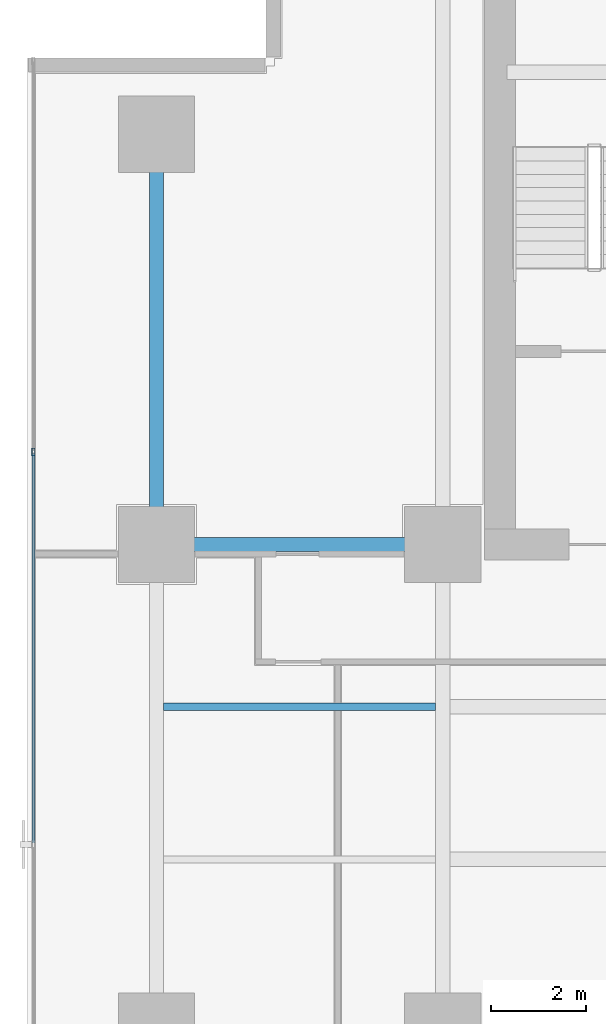
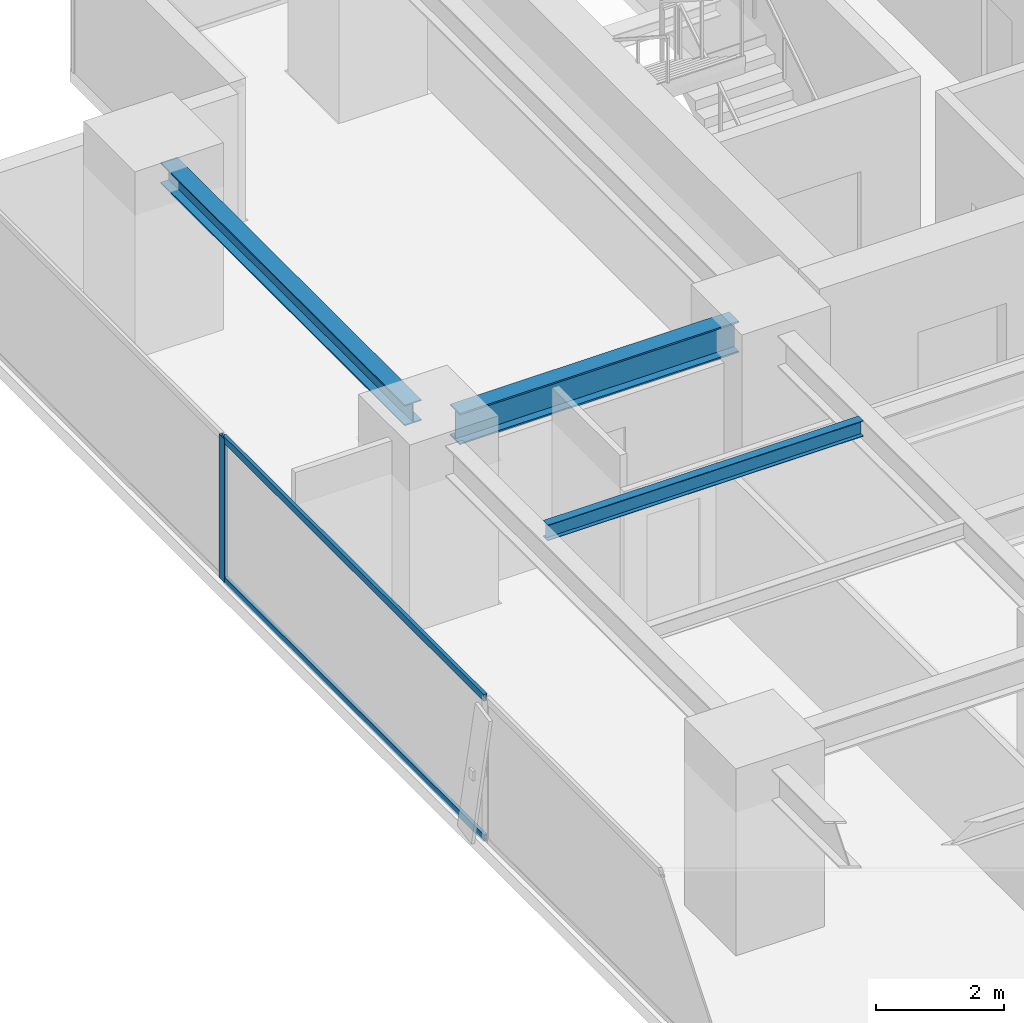
# One storey, part 17 of 37: 3 beams, 3 members, 1 element without a shape of its own.
"""IFC4 building model written with IfcOpenShell, lengths in metres."""

from ifc_helpers import new_model, si_unit, direction, frame, origin, origin_2d, place, context, subcontext, project, spatial, hollow_rectangle, i_section, extrude, source, transform, mapped, material, layer, layer_set, material_profile, profile_set, type_object, element, aggregate, save


model = new_model("IFC4")

# Units and contexts
model_context = context("Model", 3, precision=1e-05, world=origin(), true_north=direction((0.0, 1.0)))
body_context = subcontext(model_context, "Body", "Model", "MODEL_VIEW")
ifc_project = project(units=[si_unit("LENGTHUNIT", "METRE"), si_unit("AREAUNIT", "SQUARE_METRE"), si_unit("VOLUMEUNIT", "CUBIC_METRE"), si_unit("PLANEANGLEUNIT", "RADIAN"), si_unit("MASSUNIT", "GRAM", prefix="KILO")], contexts=[model_context])

# Site, building, storey
site_placement = place(None, origin())
site = spatial("IfcSite", under=ifc_project, at=site_placement, CompositionType="ELEMENT")
building_placement = place(site_placement, origin())
building = spatial("IfcBuilding", under=site, at=building_placement, Name="Sumidabori Civic Tower", CompositionType="ELEMENT")
storey_placement = place(building_placement, frame((0.0, 0.0, 81.199951171875)))
storey = spatial("IfcBuildingStorey", under=building, at=storey_placement, Name="L20", CompositionType="ELEMENT", Elevation=81.199951171875)

# Beams
ifc_material_1 = material(Name="Steel SN490", Category="steel")
ifc_material_profile_1 = material_profile(ifc_material_1, i_section(OverallWidth=0.300048828125, OverallDepth=0.60009765625, WebThickness=0.015380859375, FlangeThickness=0.030029296875, at=origin_2d()), Name="HE 600 B")
ifc_profile_set_1 = profile_set([ifc_material_profile_1], Name="Steel SN490")
beam_type_1 = type_object("IfcBeamType", Name="BM-GIRD-600", PredefinedType="BEAM", material=ifc_profile_set_1)
shared_shape_1 = source(origin(), body_context, "Body", "SweptSolid", [
    extrude(i_section(OverallWidth=0.300048828125, OverallDepth=0.60009765625, WebThickness=0.015380859375, FlangeThickness=0.030029296875, at=origin_2d()), origin(), (0.0, 0.0, 1.0), 5.0400390625),
])
beam_1_placement = place(storey_placement, frame((-22.320068359375, 10.199951171875, 3.06005859375), z_axis=(1.0, 0.0, 0.0), x_axis=(0.0, 1.0, 0.0)))
element("IfcBeam", 1, at=beam_1_placement, inside=storey, type_object=beam_type_1, Name="Primary Girder L20 GX-19", PredefinedType="BEAM", context=body_context, shape_type="MappedRepresentation", body=[
    mapped(shared_shape_1, transform((0.0, 0.0, 0.0), x_axis=(1.0, 0.0, 0.0), y_axis=(0.0, 1.0, 0.0), z_axis=(0.0, 0.0, 1.0), scale=1.0)),
])
ifc_material_profile_2 = material_profile(ifc_material_1, i_section(OverallWidth=0.300048828125, OverallDepth=0.39990234375, WebThickness=0.013427734375, FlangeThickness=0.02392578125, at=origin_2d()), Name="HE 400 B")
ifc_profile_set_2 = profile_set([ifc_material_profile_2], Name="Steel SN490")
beam_type_2 = type_object("IfcBeamType", Name="BM-GIRD-400", PredefinedType="BEAM", material=ifc_profile_set_2)
shared_shape_2 = source(origin(), body_context, "Body", "SweptSolid", [
    extrude(i_section(OverallWidth=0.300048828125, OverallDepth=0.39990234375, WebThickness=0.013427734375, FlangeThickness=0.02392578125, at=origin_2d()), origin(), (0.0, 0.0, 1.0), 7.64013671875),
])
beam_2_placement = place(storey_placement, frame((-22.800048828125, 10.679931640625, 3.16015625), z_axis=(0.0, 1.0, 0.0), x_axis=(-1.0, 0.0, 0.0)))
element("IfcBeam", 2, at=beam_2_placement, inside=storey, type_object=beam_type_2, Name="Primary Girder L20 GY-24", PredefinedType="BEAM", context=body_context, shape_type="MappedRepresentation", body=[
    mapped(shared_shape_2, transform((0.0, 0.0, 0.0), x_axis=(1.0, 0.0, 0.0), y_axis=(0.0, 1.0, 0.0), z_axis=(0.0, 0.0, 1.0), scale=1.0)),
])
ifc_material_profile_3 = material_profile(ifc_material_1, i_section(OverallWidth=0.14990234375, OverallDepth=0.300048828125, WebThickness=0.007080078125, FlangeThickness=0.0107421875, at=origin_2d()), Name="IPE 300")
ifc_profile_set_3 = profile_set([ifc_material_profile_3], Name="Steel SN490")
beam_type_3 = type_object("IfcBeamType", Name="BM-JST-300", PredefinedType="JOIST", material=ifc_profile_set_3)
shared_shape_3 = source(origin(), body_context, "Body", "SweptSolid", [
    extrude(i_section(OverallWidth=0.14990234375, OverallDepth=0.300048828125, WebThickness=0.007080078125, FlangeThickness=0.0107421875, at=origin_2d()), origin(), (0.0, 0.0, 1.0), 5.699951171875),
])
beam_3_placement = place(storey_placement, frame((-22.64990234375, 6.800048828125, 3.2099609375), z_axis=(1.0, 0.0, 0.0), x_axis=(0.0, 1.0, 0.0)))
element("IfcBeam", 3, at=beam_3_placement, inside=storey, type_object=beam_type_3, Name="Outer Bay Floor Joist L20 JSTO-49", PredefinedType="JOIST", context=body_context, shape_type="MappedRepresentation", body=[
    mapped(shared_shape_3, transform((0.0, 0.0, 0.0), x_axis=(1.0, 0.0, 0.0), y_axis=(0.0, 1.0, 0.0), z_axis=(0.0, 0.0, 1.0), scale=1.0)),
])

# Curtain wall, members
ifc_material_2 = material(Name="Anodised Bronze Aluminium AW-6063-T6", Category="aluminium")
ifc_layer = layer(ifc_material_2, 0.179931640625, Name="Anodised Bronze Aluminium AW-6063-T6")
ifc_layer_set = layer_set([ifc_layer], Name="Anodised Bronze Aluminium AW-6063-T6")
curtain_wall_type = type_object("IfcCurtainWallType", Name="CW-SYS-3", PredefinedType="NOTDEFINED", material=ifc_layer_set)
curtain_wall_placement = place(storey_placement, origin())
curtain_wall = element("IfcCurtainWall", 4, at=curtain_wall_placement, inside=storey, type_object=curtain_wall_type, Name="Curtain Wall CW:L20:R10", PredefinedType="NOTDEFINED")
ifc_material_profile_4 = material_profile(ifc_material_2, hollow_rectangle(XDim=0.06494140625, YDim=0.159912109375, WallThickness=0.0048828125, at=origin_2d()), Name="ALU MULLION 160x65")
ifc_profile_set_4 = profile_set([ifc_material_profile_4], Name="Anodised Bronze Aluminium AW-6063-T6")
member_type_1 = type_object("IfcMemberType", Name="CW-MUL-160", PredefinedType="MULLION", material=ifc_profile_set_4)
shared_shape_4 = source(origin(), body_context, "Body", "SweptSolid", [
    extrude(hollow_rectangle(XDim=0.06494140625, YDim=0.159912109375, WallThickness=0.0048828125, at=origin_2d()), origin(), (0.0, 0.0, 1.0), 2.739990234375),
])
member_1_placement = place(storey_placement, frame((-25.3798828125, 12.14208984375, 0.0), z_axis=(0.0, 0.0, 1.0), x_axis=(1.0, 0.0, 0.0)))
member_1 = element("IfcMember", 5, at=member_1_placement, type_object=member_type_1, Name="CW-3 mullion 2", PredefinedType="MULLION", context=body_context, shape_type="MappedRepresentation", body=[
    mapped(shared_shape_4, transform((0.0, 0.0, 0.0), x_axis=(1.0, 0.0, 0.0), y_axis=(0.0, 1.0, 0.0), z_axis=(0.0, 0.0, 1.0), scale=1.0)),
])
ifc_material_profile_5 = material_profile(ifc_material_2, hollow_rectangle(XDim=0.06005859375, YDim=0.1298828125, WallThickness=0.0048828125, at=origin_2d()), Name="ALU TRANSOM 130x60")
ifc_profile_set_5 = profile_set([ifc_material_profile_5], Name="Anodised Bronze Aluminium AW-6063-T6")
member_type_2 = type_object("IfcMemberType", Name="CW-TRN-130", PredefinedType="USERDEFINED", material=ifc_profile_set_5)
shared_shape_5 = source(origin(), body_context, "Body", "SweptSolid", [
    extrude(hollow_rectangle(XDim=0.06005859375, YDim=0.1298828125, WallThickness=0.0048828125, at=origin_2d()), origin(), (0.0, 0.0, 1.0), 8.1630859375),
])
member_2_placement = place(storey_placement, frame((-25.3798828125, 12.109619140625, 0.030029296875), z_axis=(0.0, -1.0, 0.0), x_axis=(1.0, 0.0, 0.0)))
member_2 = element("IfcMember", 6, at=member_2_placement, type_object=member_type_2, Name="CW-3 transom 2.1", ObjectType="TRANSOM", PredefinedType="USERDEFINED", context=body_context, shape_type="MappedRepresentation", body=[
    mapped(shared_shape_5, transform((0.0, 0.0, 0.0), x_axis=(1.0, 0.0, 0.0), y_axis=(0.0, 1.0, 0.0), z_axis=(0.0, 0.0, 1.0), scale=1.0)),
])
member_3_placement = place(storey_placement, frame((-25.3798828125, 12.109619140625, 2.7099609375), z_axis=(0.0, -1.0, 0.0), x_axis=(1.0, 0.0, 0.0)))
member_3 = element("IfcMember", 7, at=member_3_placement, type_object=member_type_2, Name="CW-3 transom 2.2", ObjectType="TRANSOM", PredefinedType="USERDEFINED", context=body_context, shape_type="MappedRepresentation", body=[
    mapped(shared_shape_5, transform((0.0, 0.0, 0.0), x_axis=(1.0, 0.0, 0.0), y_axis=(0.0, 1.0, 0.0), z_axis=(0.0, 0.0, 1.0), scale=1.0)),
])
aggregate(curtain_wall, [member_1, member_2, member_3])

save(model, "model.ifc")
